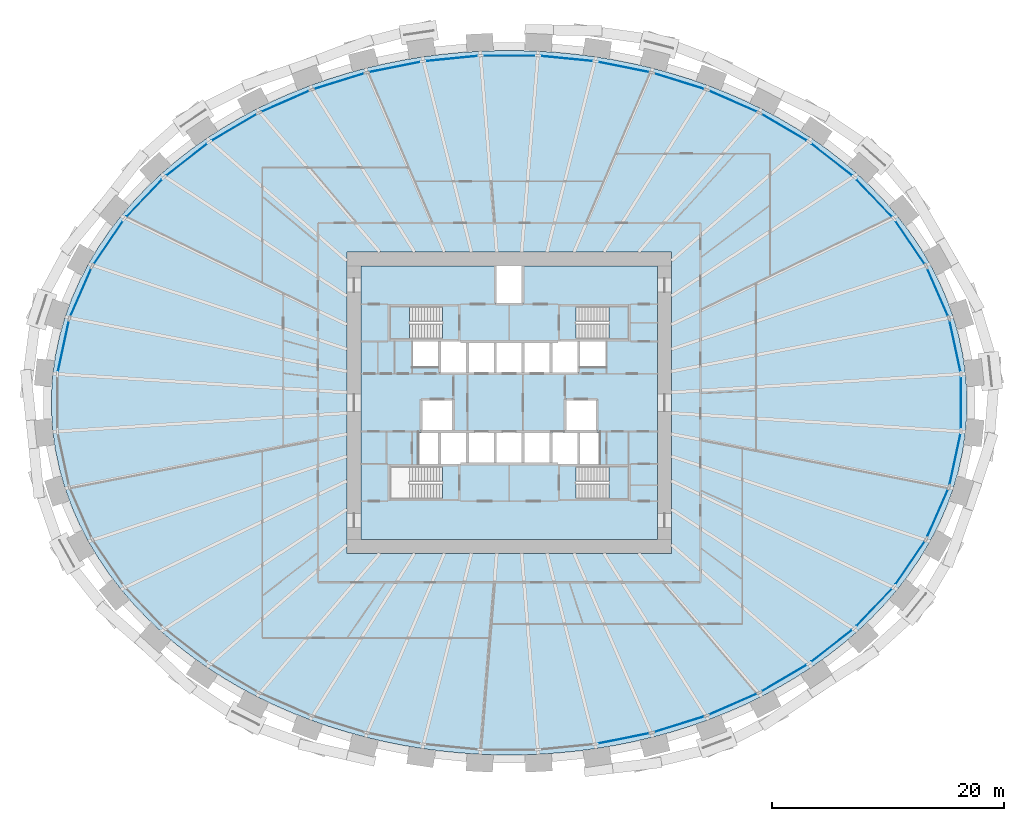
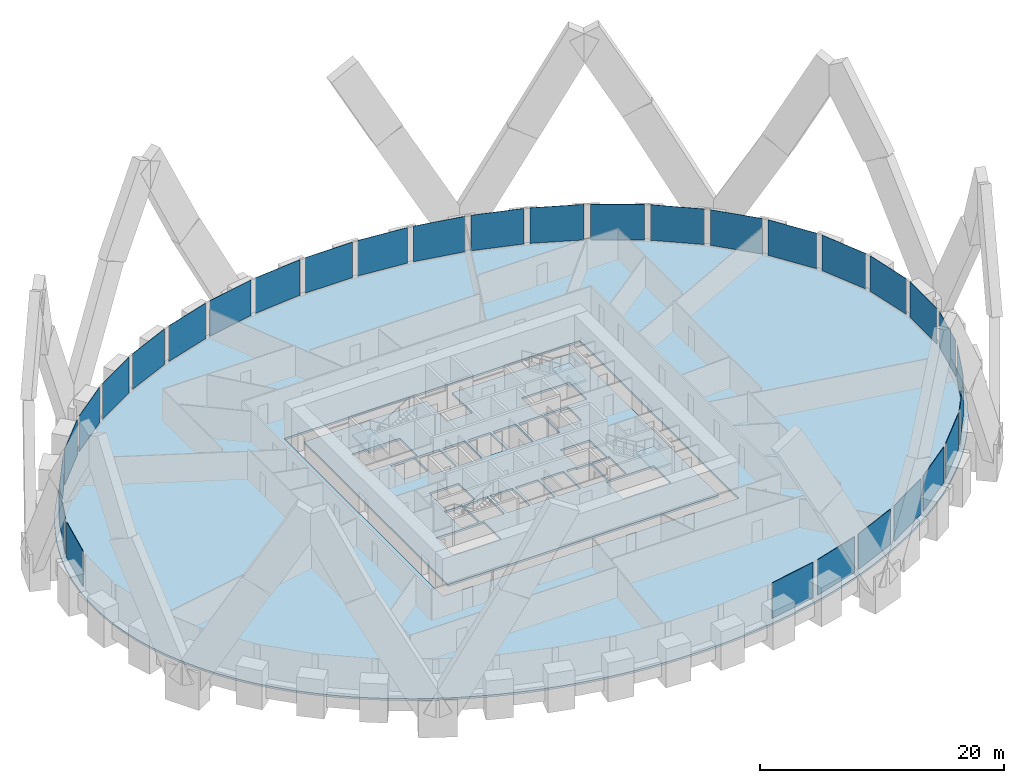
# One storey, part 6 of 13: 31 plates, 5 slabs, 4 elements without a shape of their own.
"""IFC4 building model written with IfcOpenShell, lengths in metres."""

from ifc_helpers import new_model, si_unit, direction, frame, origin, origin_2d, place, context, subcontext, project, spatial, polyline, rectangle, outline, extrude, source, transform, mapped, material, layer, layer_set, type_object, element, aggregate, save


model = new_model("IFC4")

# Units and contexts
model_context = context("Model", 3, precision=1e-05, world=origin(), true_north=direction((0.0, 1.0)))
body_context = subcontext(model_context, "Body", "Model", "MODEL_VIEW")
ifc_project = project(units=[si_unit("LENGTHUNIT", "METRE"), si_unit("AREAUNIT", "SQUARE_METRE"), si_unit("VOLUMEUNIT", "CUBIC_METRE"), si_unit("PLANEANGLEUNIT", "RADIAN"), si_unit("MASSUNIT", "GRAM", prefix="KILO")], contexts=[model_context])

# Site, building, storey
site_placement = place(None, origin())
site = spatial("IfcSite", under=ifc_project, at=site_placement, CompositionType="ELEMENT")
building_placement = place(site_placement, origin())
building = spatial("IfcBuilding", under=site, at=building_placement, Name="Embergate Tower", CompositionType="ELEMENT")
storey_placement = place(building_placement, frame((0.0, 0.0, 105.5)))
storey = spatial("IfcBuildingStorey", under=building, at=storey_placement, Name="L22", CompositionType="ELEMENT", Elevation=105.5)

# Slab
ifc_material_1 = material(Name="Concrete C40", Category="concrete")
ifc_layer_1 = layer(ifc_material_1, 0.199951171875)
ifc_layer_set_1 = layer_set([ifc_layer_1], Name="Concrete C40")
slab_type_1 = type_object("IfcSlabType", Name="Composite floor slab C40 200", PredefinedType="FLOOR", material=ifc_layer_set_1)
shared_shape_1 = source(origin(), body_context, "Body", "SweptSolid", [
    extrude(outline(polyline([(0.0, 0.0), (1.671875, 0.0), (3.3408203125, 0.053955078125), (5.011962890625, 0.162841796875), (6.675048828125, 0.326904296875), (8.327880859375, 0.5439453125), (9.98291015625, 0.81884765625), (11.621826171875, 1.14697265625), (13.240966796875, 1.530029296875), (14.863037109375, 1.972900390625), (16.458984375, 2.469970703125), (18.02490234375, 3.02001953125), (19.593017578125, 3.635986328125), (21.1240234375, 4.304931640625), (22.614990234375, 5.02685546875), (24.10498046875, 5.822021484375), (25.544921875, 6.6689453125), (26.932861328125, 7.56591796875), (28.31298828125, 8.544921875), (29.6298828125, 9.572998046875), (30.8818359375, 10.64794921875), (32.11083984375, 11.81201171875), (33.263916015625, 13.02099609375), (34.337890625, 14.27197265625), (35.367919921875, 15.614013671875), (36.306884765625, 16.994873046875), (37.15283203125, 18.411865234375), (37.927978515625, 19.911865234375), (38.598876953125, 21.44091796875), (39.162841796875, 22.995849609375), (39.62890625, 24.61083984375), (39.98095703125, 26.242919921875), (40.2158203125, 27.886962890625), (40.3349609375, 29.553955078125), (40.3349609375, 31.223876953125), (40.2158203125, 32.890869140625), (39.98095703125, 34.534912109375), (39.62890625, 36.1669921875), (39.162841796875, 37.781982421875), (38.598876953125, 39.3369140625), (37.927978515625, 40.865966796875), (37.15283203125, 42.365966796875), (36.306884765625, 43.782958984375), (35.367919921875, 45.163818359375), (34.337890625, 46.505859375), (33.263916015625, 47.7568359375), (32.11083984375, 48.9658203125), (30.8818359375, 50.1298828125), (29.6298828125, 51.204833984375), (28.31298828125, 52.23291015625), (26.932861328125, 53.2119140625), (25.544921875, 54.10888671875), (24.10498046875, 54.955810546875), (22.614990234375, 55.7509765625), (21.1240234375, 56.472900390625), (19.593017578125, 57.141845703125), (18.02490234375, 57.7578125), (16.458984375, 58.307861328125), (14.863037109375, 58.804931640625), (13.240966796875, 59.247802734375), (11.621826171875, 59.630859375), (9.98291015625, 59.958984375), (8.327880859375, 60.23388671875), (6.675048828125, 60.450927734375), (5.011962890625, 60.614990234375), (3.3408203125, 60.723876953125), (1.671875, 60.77783203125), (0.0, 60.77783203125), (-1.6689453125, 60.723876953125), (-3.340087890625, 60.614990234375), (-5.003173828125, 60.450927734375), (-6.656005859375, 60.23388671875), (-8.31103515625, 59.958984375), (-9.949951171875, 59.630859375), (-11.569091796875, 59.247802734375), (-13.191162109375, 58.804931640625), (-14.787109375, 58.307861328125), (-16.35302734375, 57.7578125), (-17.921142578125, 57.141845703125), (-19.4521484375, 56.472900390625), (-20.943115234375, 55.7509765625), (-22.43310546875, 54.955810546875), (-23.873046875, 54.10888671875), (-25.260986328125, 53.2119140625), (-26.64111328125, 52.23291015625), (-27.9580078125, 51.204833984375), (-29.2099609375, 50.1298828125), (-30.43896484375, 48.9658203125), (-31.592041015625, 47.7568359375), (-32.666015625, 46.505859375), (-33.696044921875, 45.163818359375), (-34.635009765625, 43.782958984375), (-35.48095703125, 42.365966796875), (-36.256103515625, 40.865966796875), (-36.927001953125, 39.3369140625), (-37.490966796875, 37.781982421875), (-37.95703125, 36.1669921875), (-38.30908203125, 34.534912109375), (-38.5439453125, 32.890869140625), (-38.6630859375, 31.223876953125), (-38.6630859375, 29.553955078125), (-38.5439453125, 27.886962890625), (-38.30908203125, 26.242919921875), (-37.95703125, 24.61083984375), (-37.490966796875, 22.995849609375), (-36.927001953125, 21.44091796875), (-36.256103515625, 19.911865234375), (-35.48095703125, 18.411865234375), (-34.635009765625, 16.994873046875), (-33.696044921875, 15.614013671875), (-32.666015625, 14.27197265625), (-31.592041015625, 13.02099609375), (-30.43896484375, 11.81201171875), (-29.2099609375, 10.64794921875), (-27.9580078125, 9.572998046875), (-26.64111328125, 8.544921875), (-25.260986328125, 7.56591796875), (-23.873046875, 6.6689453125), (-22.43310546875, 5.822021484375), (-20.943115234375, 5.02685546875), (-19.4521484375, 4.304931640625), (-17.921142578125, 3.635986328125), (-16.35302734375, 3.02001953125), (-14.787109375, 2.469970703125), (-13.191162109375, 1.972900390625), (-11.569091796875, 1.530029296875), (-9.949951171875, 1.14697265625), (-8.31103515625, 0.81884765625), (-6.656005859375, 0.5439453125), (-5.003173828125, 0.326904296875), (-3.340087890625, 0.162841796875), (-1.6689453125, 0.053955078125), (0.0, 0.0)]), holes=[polyline([(-13.1640625, 17.388916015625), (-13.1640625, 43.388916015625), (14.8359375, 43.388916015625), (14.8359375, 17.388916015625), (-13.1640625, 17.388916015625)])]), origin(), (0.0, 0.0, 1.0), 0.199951171875),
])
slab_1_placement = place(storey_placement, frame((-0.8359375, -30.388916015625, -0.199951171875)))
element("IfcSlab", 1, at=slab_1_placement, inside=storey, type_object=slab_type_1, Name="SLB-L22-00", PredefinedType="FLOOR", context=body_context, shape_type="MappedRepresentation", body=[
    mapped(shared_shape_1, transform((0.0, 0.0, 0.0))),
])

# Curtain wall, plates
ifc_material_2 = material(Name="Aluminium and glass", Category="aluminium")
curtain_wall_type = type_object("IfcCurtainWallType", Name="Recessed office glazing", PredefinedType="NOTDEFINED", material=ifc_material_2)
curtain_wall_placement = place(storey_placement, origin())
curtain_wall = element("IfcCurtainWall", 2, at=curtain_wall_placement, inside=storey, type_object=curtain_wall_type, Name="Recessed office glazing ring", ObjectType="RECESSED OFFICE GLAZING", PredefinedType="USERDEFINED")
ifc_material_3 = material(Name="Triple glazing, low-emissivity coating", Category="glass")
ifc_layer_2 = layer(ifc_material_3, 0.035888671875)
ifc_layer_set_2 = layer_set([ifc_layer_2], Name="Triple glazing, low-emissivity coating")
plate_type = type_object("IfcPlateType", Name="Office glazing unit", PredefinedType="CURTAIN_PANEL", material=ifc_layer_set_2)
shared_shape_2 = source(origin(), body_context, "Body", "SweptSolid", [
    extrude(rectangle(XDim=4.40283203125, YDim=0.035888671875, at=origin_2d()), origin(), (0.0, 0.0, 1.0), 3.550048828125),
])
plate_1_placement = place(storey_placement, frame((38.474365234375, 4.8662109375, 0.14990234375), z_axis=(0.0, 0.0, 1.0), x_axis=(-0.210391566126, 0.977617199574, 0.0)))
plate_1 = element("IfcPlate", 3, at=plate_1_placement, type_object=plate_type, Name="CW panel 1.1", PredefinedType="CURTAIN_PANEL", context=body_context, shape_type="MappedRepresentation", body=[
    mapped(shared_shape_2, transform((0.0, 0.0, 0.0))),
])
plate_2_placement = place(storey_placement, frame((-38.474365234375, 4.8662109375, 0.14990234375), z_axis=(0.0, 0.0, 1.0), x_axis=(-0.210391566126, -0.977617199574, 0.0)))
plate_2 = element("IfcPlate", 4, at=plate_2_placement, type_object=plate_type, Name="CW panel 21.1", PredefinedType="CURTAIN_PANEL", context=body_context, shape_type="MappedRepresentation", body=[
    mapped(shared_shape_2, transform((0.0, 0.0, 0.0))),
])
plate_3_placement = place(storey_placement, frame((38.474365234375, -4.8662109375, 0.14990234375), z_axis=(0.0, 0.0, 1.0), x_axis=(0.210391566126, 0.977617199574, 0.0)))
plate_3 = element("IfcPlate", 5, at=plate_3_placement, type_object=plate_type, Name="CW panel 43.1", PredefinedType="CURTAIN_PANEL", context=body_context, shape_type="MappedRepresentation", body=[
    mapped(shared_shape_2, transform((0.0, 0.0, 0.0))),
])
shared_shape_3 = source(origin(), body_context, "Body", "SweptSolid", [
    extrude(rectangle(XDim=4.409912109375, YDim=0.035888671875, at=origin_2d()), origin(), (0.0, 0.0, 1.0), 3.550048828125),
])
plate_4_placement = place(storey_placement, frame((36.966552734375, 9.52978515625, 0.14990234375), z_axis=(0.0, 0.0, 1.0), x_axis=(-0.401644109346, 0.915795833921, 0.0)))
plate_4 = element("IfcPlate", 6, at=plate_4_placement, type_object=plate_type, Name="CW panel 2.1", PredefinedType="CURTAIN_PANEL", context=body_context, shape_type="MappedRepresentation", body=[
    mapped(shared_shape_3, transform((0.0, 0.0, 0.0))),
])
plate_5_placement = place(storey_placement, frame((-36.966552734375, 9.52978515625, 0.14990234375), z_axis=(0.0, 0.0, 1.0), x_axis=(-0.401644109346, -0.915795833921, 0.0)))
plate_5 = element("IfcPlate", 7, at=plate_5_placement, type_object=plate_type, Name="CW panel 20.1", PredefinedType="CURTAIN_PANEL", context=body_context, shape_type="MappedRepresentation", body=[
    mapped(shared_shape_3, transform((0.0, 0.0, 0.0))),
])
plate_6_placement = place(storey_placement, frame((36.966552734375, -9.52978515625, 0.14990234375), z_axis=(0.0, 0.0, 1.0), x_axis=(0.401644109346, 0.915795833921, 0.0)))
plate_6 = element("IfcPlate", 8, at=plate_6_placement, type_object=plate_type, Name="CW panel 42.1", PredefinedType="CURTAIN_PANEL", context=body_context, shape_type="MappedRepresentation", body=[
    mapped(shared_shape_3, transform((0.0, 0.0, 0.0))),
])
shared_shape_4 = source(origin(), body_context, "Body", "SweptSolid", [
    extrude(rectangle(XDim=4.418701171875, YDim=0.035888671875, at=origin_2d()), origin(), (0.0, 0.0, 1.0), 3.550048828125),
])
plate_7_placement = place(storey_placement, frame((34.587890625, 13.8291015625, 0.14990234375), z_axis=(0.0, 0.0, 1.0), x_axis=(-0.562331639324, 0.826911801473, 0.0)))
plate_7 = element("IfcPlate", 9, at=plate_7_placement, type_object=plate_type, Name="CW panel 3.1", PredefinedType="CURTAIN_PANEL", context=body_context, shape_type="MappedRepresentation", body=[
    mapped(shared_shape_4, transform((0.0, 0.0, 0.0))),
])
plate_8_placement = place(storey_placement, frame((-34.587890625, 13.8291015625, 0.14990234375), z_axis=(0.0, 0.0, 1.0), x_axis=(-0.562331639324, -0.826911801473, 0.0)))
plate_8 = element("IfcPlate", 10, at=plate_8_placement, type_object=plate_type, Name="CW panel 19.1", PredefinedType="CURTAIN_PANEL", context=body_context, shape_type="MappedRepresentation", body=[
    mapped(shared_shape_4, transform((0.0, 0.0, 0.0))),
])
plate_9_placement = place(storey_placement, frame((34.587890625, -13.8291015625, 0.14990234375), z_axis=(0.0, 0.0, 1.0), x_axis=(0.562331639324, 0.826911801473, 0.0)))
plate_9 = element("IfcPlate", 11, at=plate_9_placement, type_object=plate_type, Name="CW panel 41.1", PredefinedType="CURTAIN_PANEL", context=body_context, shape_type="MappedRepresentation", body=[
    mapped(shared_shape_4, transform((0.0, 0.0, 0.0))),
])
shared_shape_5 = source(origin(), body_context, "Body", "SweptSolid", [
    extrude(rectangle(XDim=4.427490234375, YDim=0.035888671875, at=origin_2d()), origin(), (0.0, 0.0, 1.0), 3.550048828125),
])
plate_10_placement = place(storey_placement, frame((31.4921875, 17.661376953125, 0.14990234375), z_axis=(0.0, 0.0, 1.0), x_axis=(-0.690124942972, 0.723690239735, 0.0)))
plate_10 = element("IfcPlate", 12, at=plate_10_placement, type_object=plate_type, Name="CW panel 4.1", PredefinedType="CURTAIN_PANEL", context=body_context, shape_type="MappedRepresentation", body=[
    mapped(shared_shape_5, transform((0.0, 0.0, 0.0))),
])
plate_11_placement = place(storey_placement, frame((-31.4921875, 17.661376953125, 0.14990234375), z_axis=(0.0, 0.0, 1.0), x_axis=(-0.690124942972, -0.723690239735, 0.0)))
plate_11 = element("IfcPlate", 13, at=plate_11_placement, type_object=plate_type, Name="CW panel 18.1", PredefinedType="CURTAIN_PANEL", context=body_context, shape_type="MappedRepresentation", body=[
    mapped(shared_shape_5, transform((0.0, 0.0, 0.0))),
])
plate_12_placement = place(storey_placement, frame((31.4921875, -17.661376953125, 0.14990234375), z_axis=(0.0, 0.0, 1.0), x_axis=(0.690124942972, 0.723690239735, 0.0)))
plate_12 = element("IfcPlate", 14, at=plate_12_placement, type_object=plate_type, Name="CW panel 40.1", PredefinedType="CURTAIN_PANEL", context=body_context, shape_type="MappedRepresentation", body=[
    mapped(shared_shape_5, transform((0.0, 0.0, 0.0))),
])
shared_shape_6 = source(origin(), body_context, "Body", "SweptSolid", [
    extrude(rectangle(XDim=4.434814453125, YDim=0.035888671875, at=origin_2d()), origin(), (0.0, 0.0, 1.0), 3.550048828125),
])
plate_13_placement = place(storey_placement, frame((27.831787109375, 20.975830078125, 0.14990234375), z_axis=(0.0, 0.0, 1.0), x_axis=(-0.788312602312, 0.615274931259, 0.0)))
plate_13 = element("IfcPlate", 15, at=plate_13_placement, type_object=plate_type, Name="CW panel 5.1", PredefinedType="CURTAIN_PANEL", context=body_context, shape_type="MappedRepresentation", body=[
    mapped(shared_shape_6, transform((0.0, 0.0, 0.0))),
])
plate_14_placement = place(storey_placement, frame((-27.831787109375, 20.975830078125, 0.14990234375), z_axis=(0.0, 0.0, 1.0), x_axis=(-0.788312602312, -0.615274931259, 0.0)))
plate_14 = element("IfcPlate", 16, at=plate_14_placement, type_object=plate_type, Name="CW panel 17.1", PredefinedType="CURTAIN_PANEL", context=body_context, shape_type="MappedRepresentation", body=[
    mapped(shared_shape_6, transform((0.0, 0.0, 0.0))),
])
plate_15_placement = place(storey_placement, frame((27.831787109375, -20.975830078125, 0.14990234375), z_axis=(0.0, 0.0, 1.0), x_axis=(0.788312602312, 0.615274931259, 0.0)))
plate_15 = element("IfcPlate", 17, at=plate_15_placement, type_object=plate_type, Name="CW panel 39.1", PredefinedType="CURTAIN_PANEL", context=body_context, shape_type="MappedRepresentation", body=[
    mapped(shared_shape_6, transform((0.0, 0.0, 0.0))),
])
shared_shape_7 = source(origin(), body_context, "Body", "SweptSolid", [
    extrude(rectangle(XDim=4.44091796875, YDim=0.035888671875, at=origin_2d()), origin(), (0.0, 0.0, 1.0), 3.550048828125),
])
plate_16_placement = place(storey_placement, frame((23.740478515625, 23.75732421875, 0.14990234375), z_axis=(0.0, 0.0, 1.0), x_axis=(-0.86204786038, 0.506826880122, 0.0)))
plate_16 = element("IfcPlate", 18, at=plate_16_placement, type_object=plate_type, Name="CW panel 6.1", PredefinedType="CURTAIN_PANEL", context=body_context, shape_type="MappedRepresentation", body=[
    mapped(shared_shape_7, transform((0.0, 0.0, 0.0))),
])
plate_17_placement = place(storey_placement, frame((-23.740478515625, 23.75732421875, 0.14990234375), z_axis=(0.0, 0.0, 1.0), x_axis=(-0.86204786038, -0.506826880122, 0.0)))
plate_17 = element("IfcPlate", 19, at=plate_17_placement, type_object=plate_type, Name="CW panel 16.1", PredefinedType="CURTAIN_PANEL", context=body_context, shape_type="MappedRepresentation", body=[
    mapped(shared_shape_7, transform((0.0, 0.0, 0.0))),
])
plate_18_placement = place(storey_placement, frame((23.740478515625, -23.75732421875, 0.14990234375), z_axis=(0.0, 0.0, 1.0), x_axis=(0.86204786038, 0.506826880122, 0.0)))
plate_18 = element("IfcPlate", 20, at=plate_18_placement, type_object=plate_type, Name="CW panel 38.1", PredefinedType="CURTAIN_PANEL", context=body_context, shape_type="MappedRepresentation", body=[
    mapped(shared_shape_7, transform((0.0, 0.0, 0.0))),
])
shared_shape_8 = source(origin(), body_context, "Body", "SweptSolid", [
    extrude(rectangle(XDim=4.445556640625, YDim=0.035888671875, at=origin_2d()), origin(), (0.0, 0.0, 1.0), 3.550048828125),
])
plate_19_placement = place(storey_placement, frame((19.32763671875, 26.00927734375, 0.14990234375), z_axis=(0.0, 0.0, 1.0), x_axis=(-0.916232715476, 0.400646491426, 0.0)))
plate_19 = element("IfcPlate", 21, at=plate_19_placement, type_object=plate_type, Name="CW panel 7.1", PredefinedType="CURTAIN_PANEL", context=body_context, shape_type="MappedRepresentation", body=[
    mapped(shared_shape_8, transform((0.0, 0.0, 0.0))),
])
plate_20_placement = place(storey_placement, frame((-19.32763671875, 26.00927734375, 0.14990234375), z_axis=(0.0, 0.0, 1.0), x_axis=(-0.916232715476, -0.400646491426, 0.0)))
plate_20 = element("IfcPlate", 22, at=plate_20_placement, type_object=plate_type, Name="CW panel 15.1", PredefinedType="CURTAIN_PANEL", context=body_context, shape_type="MappedRepresentation", body=[
    mapped(shared_shape_8, transform((0.0, 0.0, 0.0))),
])
plate_21_placement = place(storey_placement, frame((19.32763671875, -26.00927734375, 0.14990234375), z_axis=(0.0, 0.0, 1.0), x_axis=(0.916232715476, 0.400646491426, 0.0)))
plate_21 = element("IfcPlate", 23, at=plate_21_placement, type_object=plate_type, Name="CW panel 37.1", PredefinedType="CURTAIN_PANEL", context=body_context, shape_type="MappedRepresentation", body=[
    mapped(shared_shape_8, transform((0.0, 0.0, 0.0))),
])
shared_shape_9 = source(origin(), body_context, "Body", "SweptSolid", [
    extrude(rectangle(XDim=4.44873046875, YDim=0.035888671875, at=origin_2d()), origin(), (0.0, 0.0, 1.0), 3.550048828125),
])
plate_22_placement = place(storey_placement, frame((14.680908203125, 27.74267578125, 0.14990234375), z_axis=(0.0, 0.0, 1.0), x_axis=(-0.954770141339, 0.297344879236, 0.0)))
plate_22 = element("IfcPlate", 24, at=plate_22_placement, type_object=plate_type, Name="CW panel 8.1", PredefinedType="CURTAIN_PANEL", context=body_context, shape_type="MappedRepresentation", body=[
    mapped(shared_shape_9, transform((0.0, 0.0, 0.0))),
])
plate_23_placement = place(storey_placement, frame((-14.680908203125, 27.74267578125, 0.14990234375), z_axis=(0.0, 0.0, 1.0), x_axis=(-0.954770141339, -0.297344879236, 0.0)))
plate_23 = element("IfcPlate", 25, at=plate_23_placement, type_object=plate_type, Name="CW panel 14.1", PredefinedType="CURTAIN_PANEL", context=body_context, shape_type="MappedRepresentation", body=[
    mapped(shared_shape_9, transform((0.0, 0.0, 0.0))),
])
plate_24_placement = place(storey_placement, frame((14.680908203125, -27.74267578125, 0.14990234375), z_axis=(0.0, 0.0, 1.0), x_axis=(0.954770141339, 0.297344879236, 0.0)))
plate_24 = element("IfcPlate", 26, at=plate_24_placement, type_object=plate_type, Name="CW panel 36.1", PredefinedType="CURTAIN_PANEL", context=body_context, shape_type="MappedRepresentation", body=[
    mapped(shared_shape_9, transform((0.0, 0.0, 0.0))),
])
shared_shape_10 = source(origin(), body_context, "Body", "SweptSolid", [
    extrude(rectangle(XDim=4.450927734375, YDim=0.035888671875, at=origin_2d()), origin(), (0.0, 0.0, 1.0), 3.550048828125),
])
plate_25_placement = place(storey_placement, frame((9.871826171875, 28.97021484375, 0.14990234375), z_axis=(0.0, 0.0, 1.0), x_axis=(-0.980474877795, 0.196644384646, 0.0)))
plate_25 = element("IfcPlate", 27, at=plate_25_placement, type_object=plate_type, Name="CW panel 9.1", PredefinedType="CURTAIN_PANEL", context=body_context, shape_type="MappedRepresentation", body=[
    mapped(shared_shape_10, transform((0.0, 0.0, 0.0))),
])
plate_26_placement = place(storey_placement, frame((-9.871826171875, 28.97021484375, 0.14990234375), z_axis=(0.0, 0.0, 1.0), x_axis=(-0.980474877795, -0.196644384646, 0.0)))
plate_26 = element("IfcPlate", 28, at=plate_26_placement, type_object=plate_type, Name="CW panel 13.1", PredefinedType="CURTAIN_PANEL", context=body_context, shape_type="MappedRepresentation", body=[
    mapped(shared_shape_10, transform((0.0, 0.0, 0.0))),
])
plate_27_placement = place(storey_placement, frame((9.871826171875, -28.97021484375, 0.14990234375), z_axis=(0.0, 0.0, 1.0), x_axis=(0.980474877795, 0.196644384646, 0.0)))
plate_27 = element("IfcPlate", 29, at=plate_27_placement, type_object=plate_type, Name="CW panel 35.1", PredefinedType="CURTAIN_PANEL", context=body_context, shape_type="MappedRepresentation", body=[
    mapped(shared_shape_10, transform((0.0, 0.0, 0.0))),
])
shared_shape_11 = source(origin(), body_context, "Body", "SweptSolid", [
    extrude(rectangle(XDim=4.452392578125, YDim=0.035888671875, at=origin_2d()), origin(), (0.0, 0.0, 1.0), 3.550048828125),
])
plate_28_placement = place(storey_placement, frame((4.960693359375, 29.7021484375, 0.14990234375), z_axis=(0.0, 0.0, 1.0), x_axis=(-0.995203014042, 0.097831287645, 0.0)))
plate_28 = element("IfcPlate", 30, at=plate_28_placement, type_object=plate_type, Name="CW panel 10.1", PredefinedType="CURTAIN_PANEL", context=body_context, shape_type="MappedRepresentation", body=[
    mapped(shared_shape_11, transform((0.0, 0.0, 0.0))),
])
plate_29_placement = place(storey_placement, frame((-4.960693359375, 29.7021484375, 0.14990234375), z_axis=(0.0, 0.0, 1.0), x_axis=(-0.995203014042, -0.097831287645, 0.0)))
plate_29 = element("IfcPlate", 31, at=plate_29_placement, type_object=plate_type, Name="CW panel 12.1", PredefinedType="CURTAIN_PANEL", context=body_context, shape_type="MappedRepresentation", body=[
    mapped(shared_shape_11, transform((0.0, 0.0, 0.0))),
])
shared_shape_12 = source(origin(), body_context, "Body", "SweptSolid", [
    extrude(rectangle(XDim=4.45263671875, YDim=0.035888671875, at=origin_2d()), origin(), (0.0, 0.0, 1.0), 3.550048828125),
])
plate_30_placement = place(storey_placement, frame((0.0, 29.9453125, 0.14990234375), z_axis=(0.0, 0.0, 1.0), x_axis=(-1.0, 0.0, 0.0)))
plate_30 = element("IfcPlate", 32, at=plate_30_placement, type_object=plate_type, Name="CW panel 11.1", PredefinedType="CURTAIN_PANEL", context=body_context, shape_type="MappedRepresentation", body=[
    mapped(shared_shape_12, transform((0.0, 0.0, 0.0))),
])
shared_shape_13 = source(origin(), body_context, "Body", "SweptSolid", [
    extrude(rectangle(XDim=4.39990234375, YDim=0.035888671875, at=origin_2d()), origin(), (0.0, 0.0, 1.0), 3.550048828125),
])
plate_31_placement = place(storey_placement, frame((38.9921875, 0.0, 0.14990234375), z_axis=(0.0, 0.0, 1.0), x_axis=(0.0, 1.0, 0.0)))
plate_31 = element("IfcPlate", 33, at=plate_31_placement, type_object=plate_type, Name="CW panel 44.1", PredefinedType="CURTAIN_PANEL", context=body_context, shape_type="MappedRepresentation", body=[
    mapped(shared_shape_13, transform((0.0, 0.0, 0.0))),
])
aggregate(curtain_wall, [plate_1, plate_4, plate_7, plate_10, plate_13, plate_16, plate_19, plate_22, plate_25, plate_28, plate_30, plate_29, plate_26, plate_23, plate_20, plate_17, plate_14, plate_11, plate_8, plate_5, plate_2, plate_27, plate_24, plate_21, plate_18, plate_15, plate_12, plate_9, plate_6, plate_3, plate_31])

# Stair, slab
ifc_material_4 = material(Name="Exit stair")
stair_type = type_object("IfcStairType", Name="Exit stair", PredefinedType="HALF_TURN_STAIR", material=ifc_material_4)
stair_1_placement = place(storey_placement, origin())
stair_1 = element("IfcStair", 34, at=stair_1_placement, inside=storey, type_object=stair_type, Name="L22 Exit stair 1", PredefinedType="HALF_TURN_STAIR")
ifc_layer_3 = layer(ifc_material_1, 0.199951171875)
ifc_layer_set_3 = layer_set([ifc_layer_3], Name="Concrete C40")
slab_type_2 = type_object("IfcSlabType", Name="Stair landing reinforced concrete", PredefinedType="LANDING", material=ifc_layer_set_3)
shared_shape_14 = source(origin(), body_context, "Body", "SweptSolid", [
    extrude(outline(polyline([(0.0, 0.0), (1.68994140625, 0.0), (1.68994140625, 2.800048828125), (0.0, 2.800048828125), (0.0, 0.0)])), origin(), (0.0, 0.0, 1.0), 0.199951171875),
])
slab_2_placement = place(storey_placement, frame((-10.300048828125, 5.5, 1.75)))
slab_2 = element("IfcSlab", 35, at=slab_2_placement, type_object=slab_type_2, Name="ST1 landing 1", PredefinedType="LANDING", context=body_context, shape_type="MappedRepresentation", body=[
    mapped(shared_shape_14, transform((0.0, 0.0, 0.0))),
])
aggregate(stair_1, [slab_2])

stair_2_placement = place(storey_placement, origin())
stair_2 = element("IfcStair", 36, at=stair_2_placement, inside=storey, type_object=stair_type, Name="L22 Exit stair 2", PredefinedType="HALF_TURN_STAIR")
slab_3_placement = place(storey_placement, frame((8.610107421875, 5.5, 1.75)))
slab_3 = element("IfcSlab", 37, at=slab_3_placement, type_object=slab_type_2, Name="ST2 landing 1", PredefinedType="LANDING", context=body_context, shape_type="MappedRepresentation", body=[
    mapped(shared_shape_14, transform((0.0, 0.0, 0.0))),
])
aggregate(stair_2, [slab_3])

stair_3_placement = place(storey_placement, origin())
stair_3 = element("IfcStair", 38, at=stair_3_placement, inside=storey, type_object=stair_type, Name="L22 Exit stair 4", PredefinedType="HALF_TURN_STAIR")
slab_4_placement = place(storey_placement, frame((8.610107421875, -8.300048828125, 1.75)))
slab_4 = element("IfcSlab", 39, at=slab_4_placement, type_object=slab_type_2, Name="ST4 landing 1", PredefinedType="LANDING", context=body_context, shape_type="MappedRepresentation", body=[
    mapped(shared_shape_14, transform((0.0, 0.0, 0.0))),
])
aggregate(stair_3, [slab_4])

# Slab
ifc_layer_4 = layer(ifc_material_1, 0.199951171875)
ifc_layer_set_4 = layer_set([ifc_layer_4], Name="Concrete C40")
slab_type_3 = type_object("IfcSlabType", Name="Core floor slab 200 reinforced concrete", PredefinedType="FLOOR", material=ifc_layer_set_4)
shared_shape_15 = source(origin(), body_context, "Body", "SweptSolid", [
    extrude(outline(polyline([(0.0, 0.0), (25.60009765625, 0.0), (25.60009765625, 23.60009765625), (14.0, 23.60009765625), (14.0, 20.300048828125), (11.60009765625, 20.300048828125), (11.60009765625, 23.60009765625), (0.0, 23.60009765625), (0.0, 0.0)]), holes=[polyline([(2.5, 3.5), (2.5, 6.300048828125), (7.0400390625, 6.300048828125), (7.0400390625, 3.5), (2.5, 3.5)]), polyline([(18.56005859375, 3.5), (18.56005859375, 6.300048828125), (23.10009765625, 6.300048828125), (23.10009765625, 3.5), (18.56005859375, 3.5)]), polyline([(5.0, 6.5), (5.0, 9.300048828125), (5.074951171875, 9.300048828125), (5.074951171875, 9.175048828125), (6.675048828125, 9.175048828125), (6.675048828125, 6.5), (5.0, 6.5)]), polyline([(6.800048828125, 6.5), (6.800048828125, 9.175048828125), (8.125, 9.175048828125), (8.125, 9.300048828125), (9.074951171875, 9.300048828125), (9.074951171875, 6.5), (6.800048828125, 6.5)]), polyline([(9.324951171875, 6.5), (9.324951171875, 9.300048828125), (11.47509765625, 9.300048828125), (11.47509765625, 6.5), (9.324951171875, 6.5)]), polyline([(11.72509765625, 6.5), (11.72509765625, 9.300048828125), (13.875, 9.300048828125), (13.875, 6.5), (11.72509765625, 6.5)]), polyline([(14.125, 6.5), (14.125, 9.300048828125), (16.275146484375, 9.300048828125), (16.275146484375, 6.5), (14.125, 6.5)]), polyline([(16.525146484375, 6.5), (16.525146484375, 9.300048828125), (17.47509765625, 9.300048828125), (17.47509765625, 9.175048828125), (18.800048828125, 9.175048828125), (18.800048828125, 6.5), (16.525146484375, 6.5)]), polyline([(18.925048828125, 6.5), (18.925048828125, 9.175048828125), (20.525146484375, 9.175048828125), (20.525146484375, 9.300048828125), (20.60009765625, 9.300048828125), (20.60009765625, 6.5), (18.925048828125, 6.5)]), polyline([(5.199951171875, 9.300048828125), (5.199951171875, 12.10009765625), (8.0, 12.10009765625), (8.0, 9.425048828125), (6.675048828125, 9.425048828125), (6.675048828125, 9.300048828125), (5.199951171875, 9.300048828125)]), polyline([(18.925048828125, 9.300048828125), (18.925048828125, 9.425048828125), (17.60009765625, 9.425048828125), (17.60009765625, 12.10009765625), (20.400146484375, 12.10009765625), (20.400146484375, 9.300048828125), (18.925048828125, 9.300048828125)]), polyline([(6.800048828125, 14.300048828125), (6.800048828125, 17.10009765625), (9.074951171875, 17.10009765625), (9.074951171875, 14.300048828125), (6.800048828125, 14.300048828125)]), polyline([(9.324951171875, 14.300048828125), (9.324951171875, 17.10009765625), (11.47509765625, 17.10009765625), (11.47509765625, 14.300048828125), (9.324951171875, 14.300048828125)]), polyline([(11.72509765625, 14.300048828125), (11.72509765625, 17.10009765625), (13.875, 17.10009765625), (13.875, 14.300048828125), (11.72509765625, 14.300048828125)]), polyline([(14.125, 14.300048828125), (14.125, 17.10009765625), (16.275146484375, 17.10009765625), (16.275146484375, 14.300048828125), (14.125, 14.300048828125)]), polyline([(16.525146484375, 14.300048828125), (16.525146484375, 17.10009765625), (18.800048828125, 17.10009765625), (18.800048828125, 14.300048828125), (16.525146484375, 14.300048828125)]), polyline([(4.400146484375, 14.900146484375), (4.400146484375, 17.10009765625), (6.675048828125, 17.10009765625), (6.675048828125, 14.900146484375), (4.400146484375, 14.900146484375)]), polyline([(18.925048828125, 14.900146484375), (18.925048828125, 17.10009765625), (21.199951171875, 17.10009765625), (21.199951171875, 14.900146484375), (18.925048828125, 14.900146484375)]), polyline([(2.5, 17.300048828125), (2.5, 20.10009765625), (7.0400390625, 20.10009765625), (7.0400390625, 17.300048828125), (2.5, 17.300048828125)]), polyline([(18.56005859375, 17.300048828125), (18.56005859375, 20.10009765625), (23.10009765625, 20.10009765625), (23.10009765625, 17.300048828125), (18.56005859375, 17.300048828125)])]), origin(), (0.0, 0.0, 1.0), 0.199951171875),
])
slab_5_placement = place(storey_placement, frame((-12.800048828125, -11.800048828125, -0.199951171875)))
element("IfcSlab", 40, at=slab_5_placement, inside=storey, type_object=slab_type_3, Name="Core floor slab", PredefinedType="FLOOR", context=body_context, shape_type="MappedRepresentation", body=[
    mapped(shared_shape_15, transform((0.0, 0.0, 0.0))),
])

save(model, "model.ifc")
